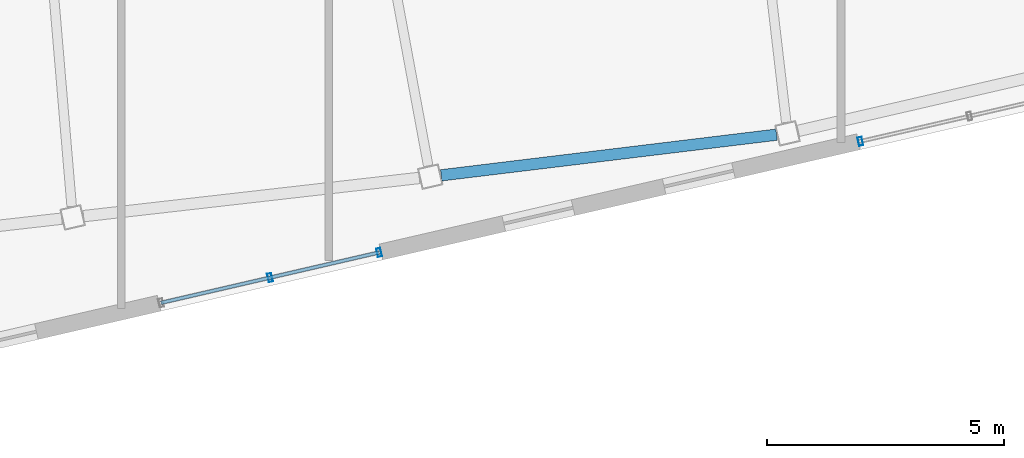
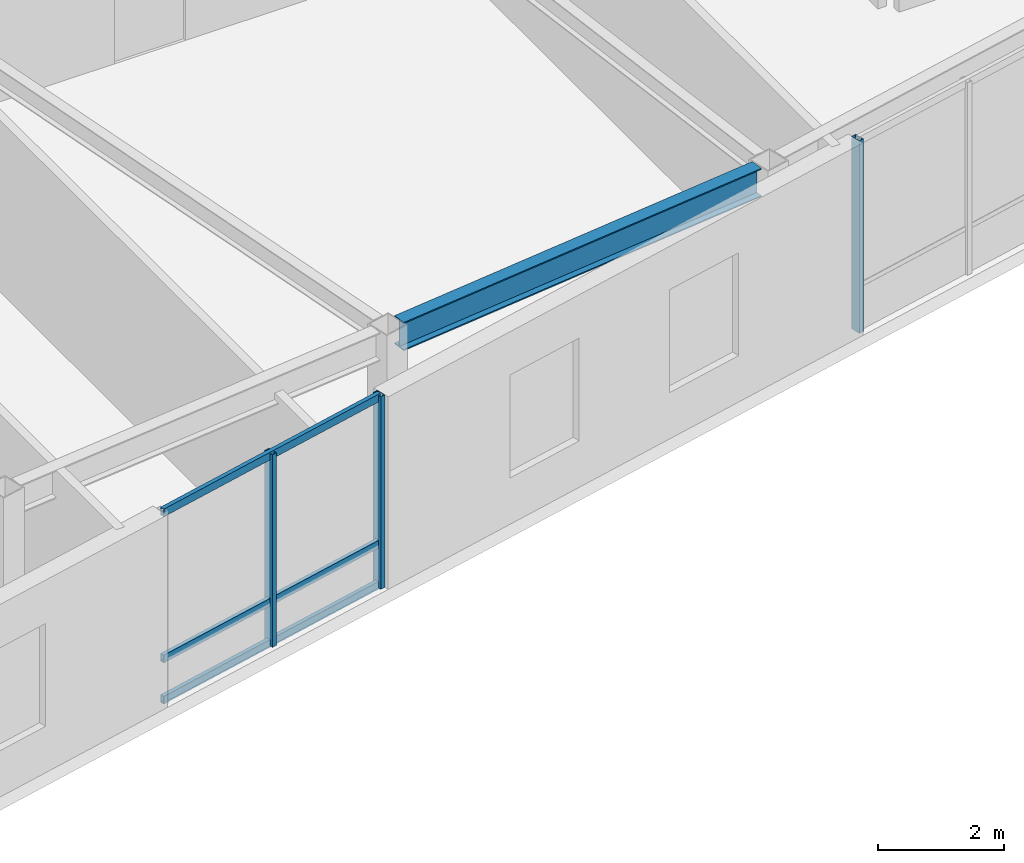
# One storey, part 7 of 23: 6 members, 1 beam, 2 elements without a shape of their own.
"""IFC4 building model written with IfcOpenShell, lengths in metres."""

from ifc_helpers import new_model, si_unit, direction, frame, origin, origin_2d, place, context, subcontext, project, spatial, hollow_rectangle, i_section, extrude, material, layer, layer_set, material_profile, profile_set, type_object, element, aggregate, save


model = new_model("IFC4")

# Units and contexts
model_context = context("Model", 3, precision=1e-05, world=origin(), true_north=direction((0.0, 1.0)))
body_context = subcontext(model_context, "Body", "Model", "MODEL_VIEW")
ifc_project = project(units=[si_unit("LENGTHUNIT", "METRE"), si_unit("AREAUNIT", "SQUARE_METRE"), si_unit("VOLUMEUNIT", "CUBIC_METRE"), si_unit("PLANEANGLEUNIT", "RADIAN"), si_unit("MASSUNIT", "GRAM", prefix="KILO")], contexts=[model_context])

# Site, building, storey
site_placement = place(None, origin())
site = spatial("IfcSite", under=ifc_project, at=site_placement, CompositionType="ELEMENT")
building_placement = place(site_placement, origin())
building = spatial("IfcBuilding", under=site, at=building_placement, Name="Tavrogorsk Clinical Tower", CompositionType="ELEMENT")
storey_placement = place(building_placement, frame((0.0, 0.0, 297.0)))
storey = spatial("IfcBuildingStorey", under=building, at=storey_placement, Name="L69", CompositionType="ELEMENT", Elevation=297.0)

# Curtain wall, members
ifc_material_1 = material(Name="Anodised aluminium and triple IGU glazing", Category="aluminium")
ifc_layer = layer(ifc_material_1, 0.179931640625)
ifc_layer_set = layer_set([ifc_layer], Name="Anodised aluminium and triple IGU glazing")
curtain_wall_type = type_object("IfcCurtainWallType", Name="CW3_SouthSlot", PredefinedType="NOTDEFINED", material=ifc_layer_set)
curtain_wall_1_placement = place(storey_placement, origin())
curtain_wall_1 = element("IfcCurtainWall", 1, at=curtain_wall_1_placement, inside=storey, type_object=curtain_wall_type, Name="L69 Curtain Wall CW-L69-S-SLOT-1", PredefinedType="NOTDEFINED")
ifc_material_2 = material(Name="Anodised aluminium alloy AW-6060", Category="aluminium")
ifc_material_profile_1 = material_profile(ifc_material_2, hollow_rectangle(XDim=0.090087890625, YDim=0.179931640625, WallThickness=0.00634765625, at=origin_2d()), Name="RHS-180x90x6.3")
ifc_profile_set_1 = profile_set([ifc_material_profile_1], Name="Anodised aluminium alloy AW-6060")
member_type_1 = type_object("IfcMemberType", Name="CwMullion_180x90", PredefinedType="MULLION", material=ifc_profile_set_1)
member_1_placement = place(storey_placement, frame((-4.633544921875, -25.438232421875, 0.0), z_axis=(0.0, 0.0, 1.0), x_axis=(0.974370057377, 0.224951086434, 0.0)))
member_1 = element("IfcMember", 2, at=member_1_placement, type_object=member_type_1, Name="CW-L69-S-SLOT-1 Mullion 2", PredefinedType="MULLION", context=body_context, shape_type="SweptSolid", body=[
    extrude(hollow_rectangle(XDim=0.090087890625, YDim=0.179931640625, WallThickness=0.00634765625, at=origin_2d()), origin(), (0.0, 0.0, 1.0), 3.739990234375),
])
member_2_placement = place(storey_placement, frame((-2.3349609375, -24.90771484375, 0.0), z_axis=(0.0, 0.0, 1.0), x_axis=(0.974370057377, 0.224951086434, 0.0)))
member_2 = element("IfcMember", 3, at=member_2_placement, type_object=member_type_1, Name="CW-L69-S-SLOT-1 Mullion 3", PredefinedType="MULLION", context=body_context, shape_type="SweptSolid", body=[
    extrude(hollow_rectangle(XDim=0.090087890625, YDim=0.179931640625, WallThickness=0.00634765625, at=origin_2d()), origin(), (0.0, 0.0, 1.0), 3.739990234375),
])

# Curtain wall, member
curtain_wall_2_placement = place(storey_placement, origin())
curtain_wall_2 = element("IfcCurtainWall", 4, at=curtain_wall_2_placement, inside=storey, type_object=curtain_wall_type, Name="L69 Curtain Wall CW-L69-S-SLOT-2", PredefinedType="NOTDEFINED")
member_3_placement = place(storey_placement, frame((7.80810546875, -22.56591796875, 0.0), z_axis=(0.0, 0.0, 1.0), x_axis=(0.974370057377, 0.224951086434, 0.0)))
member_3 = element("IfcMember", 5, at=member_3_placement, type_object=member_type_1, Name="CW-L69-S-SLOT-2 Mullion 1", PredefinedType="MULLION", context=body_context, shape_type="SweptSolid", body=[
    extrude(hollow_rectangle(XDim=0.090087890625, YDim=0.179931640625, WallThickness=0.00634765625, at=origin_2d()), origin(), (0.0, 0.0, 1.0), 3.739990234375),
])
aggregate(curtain_wall_2, [member_3])

# Member
ifc_material_3 = material(Name="Anodised aluminium alloy AW-6060", Category="aluminium")
ifc_material_profile_2 = material_profile(ifc_material_3, hollow_rectangle(XDim=0.074951171875, YDim=0.14990234375, WallThickness=0.0048828125, at=origin_2d()), Name="RHS-150x75x5")
ifc_profile_set_2 = profile_set([ifc_material_profile_2], Name="Anodised aluminium alloy AW-6060")
member_type_2 = type_object("IfcMemberType", Name="CwTransom_150x75", PredefinedType="USERDEFINED", material=ifc_profile_set_2)
member_4_placement = place(storey_placement, frame((-6.93212890625, -25.968994140625, 0.050048828125), z_axis=(0.974372877948, 0.22493886885, 0.0), x_axis=(-0.22493886885, 0.974372877948, 0.0)))
member_4 = element("IfcMember", 6, at=member_4_placement, type_object=member_type_2, Name="CW-L69-S-SLOT-1 Transom 1", ObjectType="TRANSOM", PredefinedType="USERDEFINED", context=body_context, shape_type="SweptSolid", body=[
    extrude(hollow_rectangle(XDim=0.074951171875, YDim=0.14990234375, WallThickness=0.0048828125, at=origin_2d()), origin(), (0.0, 0.0, 1.0), 4.718017578125),
])

member_5_placement = place(storey_placement, frame((-6.93212890625, -25.968994140625, 0.85009765625), z_axis=(0.974372877948, 0.22493886885, 0.0), x_axis=(-0.22493886885, 0.974372877948, 0.0)))
member_5 = element("IfcMember", 7, at=member_5_placement, type_object=member_type_2, Name="CW-L69-S-SLOT-1 Transom 2", ObjectType="TRANSOM", PredefinedType="USERDEFINED", context=body_context, shape_type="SweptSolid", body=[
    extrude(hollow_rectangle(XDim=0.074951171875, YDim=0.14990234375, WallThickness=0.0048828125, at=origin_2d()), origin(), (0.0, 0.0, 1.0), 4.718017578125),
])

member_6_placement = place(storey_placement, frame((-6.93212890625, -25.968994140625, 3.68994140625), z_axis=(0.974372877948, 0.22493886885, 0.0), x_axis=(-0.22493886885, 0.974372877948, 0.0)))
member_6 = element("IfcMember", 8, at=member_6_placement, type_object=member_type_2, Name="CW-L69-S-SLOT-1 Transom 3", ObjectType="TRANSOM", PredefinedType="USERDEFINED", context=body_context, shape_type="SweptSolid", body=[
    extrude(hollow_rectangle(XDim=0.074951171875, YDim=0.14990234375, WallThickness=0.0048828125, at=origin_2d()), origin(), (0.0, 0.0, 1.0), 4.718017578125),
])

aggregate(curtain_wall_1, [member_1, member_2, member_4, member_5, member_6])

# Beam
ifc_material_4 = material(Name="Structural steel S390", Category="steel")
ifc_material_profile_3 = material_profile(ifc_material_4, i_section(OverallWidth=0.239990234375, OverallDepth=0.550048828125, WebThickness=0.013916015625, FlangeThickness=0.02197265625, at=origin_2d()), Name="B-550x240x14x22")
ifc_profile_set_3 = profile_set([ifc_material_profile_3], Name="Structural steel S390")
beam_type = type_object("IfcBeamType", Name="SpandrelBeam_B550", PredefinedType="SPANDREL", material=ifc_profile_set_3)
beam_placement = place(storey_placement, frame((-1.026123046875, -23.28173828125, 3.465087890625), z_axis=(0.992733657897, 0.120332391639, 0.0), x_axis=(-0.120332391639, 0.992733657897, 0.0)))
element("IfcBeam", 9, at=beam_placement, inside=storey, type_object=beam_type, Name="L69 Perimeter Spandrel S4-S5", PredefinedType="SPANDREL", context=body_context, shape_type="SweptSolid", body=[
    extrude(i_section(OverallWidth=0.239990234375, OverallDepth=0.550048828125, WebThickness=0.013916015625, FlangeThickness=0.02197265625, at=origin_2d()), origin(), (0.0, 0.0, 1.0), 7.119384765625),
])

save(model, "model.ifc")
